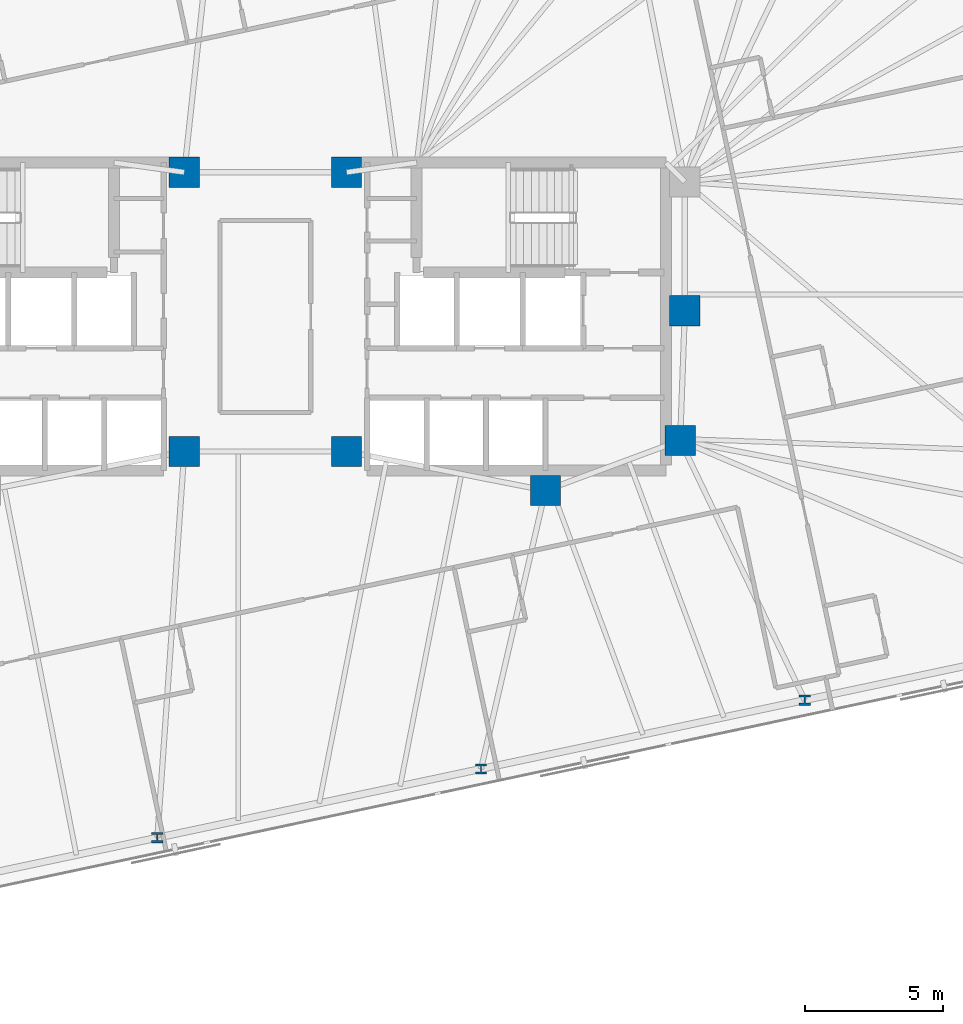
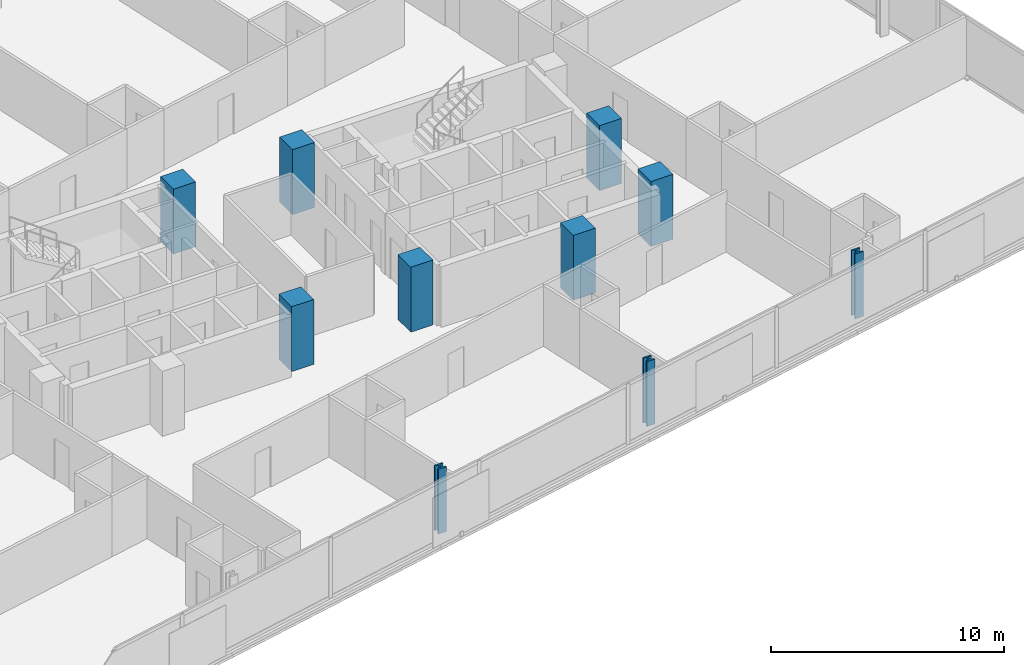
# One storey, part 3 of 19: 10 columns.
"""IFC4 building model written with IfcOpenShell, lengths in metres."""

from ifc_helpers import new_model, si_unit, direction, frame, origin, origin_2d, place, context, subcontext, project, spatial, rectangle, i_section, extrude, material, material_profile, profile_set, type_object, element, save


model = new_model("IFC4")

# Units and contexts
model_context = context("Model", 3, precision=1e-05, world=origin(), true_north=direction((0.0, 1.0)))
body_context = subcontext(model_context, "Body", "Model", "MODEL_VIEW")
ifc_project = project(units=[si_unit("LENGTHUNIT", "METRE"), si_unit("AREAUNIT", "SQUARE_METRE"), si_unit("VOLUMEUNIT", "CUBIC_METRE"), si_unit("PLANEANGLEUNIT", "RADIAN"), si_unit("MASSUNIT", "GRAM", prefix="KILO")], contexts=[model_context])

# Site, building, storey
site_placement = place(None, origin())
site = spatial("IfcSite", under=ifc_project, at=site_placement, CompositionType="ELEMENT")
building_placement = place(site_placement, origin())
building = spatial("IfcBuilding", under=site, at=building_placement, Name="Menara Jurai Vektor", CompositionType="ELEMENT")
storey_placement = place(building_placement, frame((0.0, 0.0, 161.60009765625)))
storey = spatial("IfcBuildingStorey", under=building, at=storey_placement, Name="L41", CompositionType="ELEMENT", Elevation=161.60009765625)

# Columns
ifc_material_1 = material(Name="Concrete C50/60", Category="concrete")
ifc_material_profile_1 = material_profile(ifc_material_1, rectangle(XDim=1.10009765625, YDim=1.10009765625, at=origin_2d()), Name="RC 1100x1100")
ifc_profile_set_1 = profile_set([ifc_material_profile_1], Name="Concrete C50/60")
column_type_1 = type_object("IfcColumnType", Name="STR-COL-RC1100", PredefinedType="COLUMN", material=ifc_profile_set_1)
for number, where, z_axis, x_axis, name in (
    (1, (-2.949951171875, -4.89990234375, 0.0), (0.0, 0.0, 1.0), (1.0, 0.0, 0.0), "Core Spine Column CW-SE L41"),
    (2, (-2.949951171875, 5.25, 0.0), (0.0, 0.0, 1.0), (1.0, 0.0, 0.0), "Core Spine Column CW-NE L41"),
    (3, (15.25, 0.219970703125, 0.0), (0.0, 0.0, 1.0), (1.0, 0.0, 0.0), "Core Spine Column CE-EM L41"),
    (4, (15.080078125, -4.5, 0.0), (0.0, 0.0, 1.0), (1.0, 0.0, 0.0), "Core Spine Column CE-SE L41"),
    (5, (10.179931640625, -6.320068359375, 0.0), (0.0, 0.0, 1.0), (1.0, 0.0, 0.0), "Core Spine Column CE-SM L41"),
    (6, (2.949951171875, -4.89990234375, 0.0), (0.0, 0.0, 1.0), (1.0, 0.0, 0.0), "Core Spine Column CE-SW L41"),
    (7, (2.949951171875, 5.25, 0.0), (0.0, 0.0, 1.0), (1.0, 0.0, 0.0), "Core Spine Column CE-NW L41"),
):
    element("IfcColumn", number, at=place(storey_placement, frame(where, z_axis=z_axis, x_axis=x_axis)), inside=storey, type_object=column_type_1, Name=name, PredefinedType="COLUMN", context=body_context, shape_type="SweptSolid", body=[
        extrude(rectangle(XDim=1.10009765625, YDim=1.10009765625, at=origin_2d()), origin(), (0.0, 0.0, 1.0), 3.39990234375),
    ])
ifc_material_2 = material(Name="Steel S460", Category="steel")
ifc_material_profile_2 = material_profile(ifc_material_2, i_section(OverallWidth=0.408935546875, OverallDepth=0.3740234375, WebThickness=0.048095703125, FlangeThickness=0.076904296875, FilletRadius=0.014892578125, at=origin_2d()), Name="HD 400x634")
ifc_profile_set_2 = profile_set([ifc_material_profile_2], Name="Steel S460")
column_type_2 = type_object("IfcColumnType", Name="STR-EXO-BLK3", PredefinedType="COLUMN", material=ifc_profile_set_2)
for number, where, z_axis, x_axis, name in (
    (8, (-3.928466796875, -18.94287109375, 0.0), (0.0, 0.0, 1.0), (1.0, 0.0, 0.0), "Exoskeleton Column BLK3-S3 L41"),
    (9, (7.83984375, -16.44140625, 0.0), (0.0, 0.0, 1.0), (1.0, 0.0, 0.0), "Exoskeleton Column BLK3-S4 L41"),
    (10, (19.608154296875, -13.940185546875, 0.0), (0.0, 0.0, 1.0), (1.0, 0.0, 0.0), "Exoskeleton Column BLK3-S5 L41"),
):
    element("IfcColumn", number, at=place(storey_placement, frame(where, z_axis=z_axis, x_axis=x_axis)), inside=storey, type_object=column_type_2, Name=name, PredefinedType="COLUMN", context=body_context, shape_type="SweptSolid", body=[
        extrude(i_section(OverallWidth=0.408935546875, OverallDepth=0.3740234375, WebThickness=0.048095703125, FlangeThickness=0.076904296875, FilletRadius=0.014892578125, at=origin_2d()), origin(), (0.0, 0.0, 1.0), 3.39990234375),
    ])

save(model, "model.ifc")
